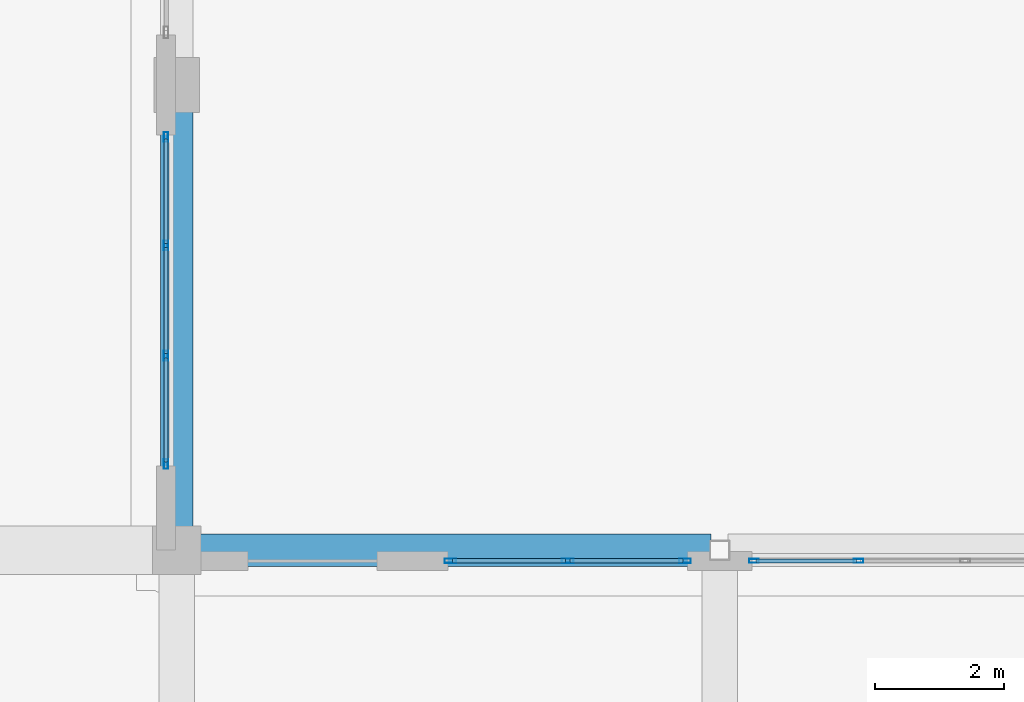
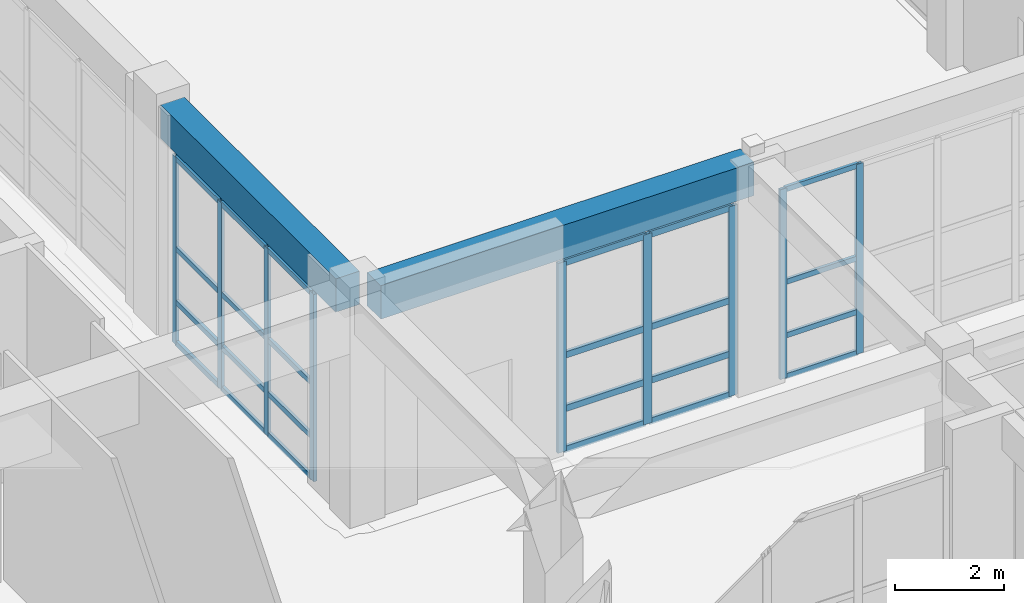
# One storey, part 42 of 148: 33 members, 2 beams, 3 elements without a shape of their own.
"""IFC4 building model written with IfcOpenShell, lengths in metres."""

from ifc_helpers import new_model, si_unit, direction, frame, origin, origin_2d, place, context, subcontext, project, spatial, rectangle, hollow_rectangle, extrude, material, layer, layer_set, material_profile, profile_set, type_object, element, aggregate, save


model = new_model("IFC4")

# Units and contexts
model_context = context("Model", 3, precision=1e-05, world=origin(), true_north=direction((0.0, 1.0)))
body_context = subcontext(model_context, "Body", "Model", "MODEL_VIEW")
ifc_project = project(units=[si_unit("LENGTHUNIT", "METRE"), si_unit("AREAUNIT", "SQUARE_METRE"), si_unit("VOLUMEUNIT", "CUBIC_METRE"), si_unit("PLANEANGLEUNIT", "RADIAN"), si_unit("MASSUNIT", "GRAM", prefix="KILO")], contexts=[model_context])

# Site, building, storey
site_placement = place(None, origin())
site = spatial("IfcSite", under=ifc_project, at=site_placement, CompositionType="ELEMENT")
building_placement = place(site_placement, origin())
building = spatial("IfcBuilding", under=site, at=building_placement, Name="Quendrovan Civic Courthouse", CompositionType="ELEMENT")
storey_placement = place(building_placement, origin())
storey = spatial("IfcBuildingStorey", under=building, at=storey_placement, Name="L01", CompositionType="ELEMENT", Elevation=0.0)

# Beams
ifc_material_1 = material(Name="Concrete C40/50", Category="concrete")
ifc_material_profile_1 = material_profile(ifc_material_1, rectangle(XDim=0.5, YDim=0.75, at=origin_2d()), Name="RC-BM-500x750")
ifc_profile_set_1 = profile_set([ifc_material_profile_1], Name="Concrete C40/50")
beam_type = type_object("IfcBeamType", Name="BM-RC750", PredefinedType="SPANDREL", material=ifc_profile_set_1)
beam_1_placement = place(storey_placement, frame((17.155029296875, 80.39990234375, 4.7451171875), z_axis=(1.0, 0.0, 0.0), x_axis=(0.0, 1.0, 0.0)))
element("IfcBeam", 1, at=beam_1_placement, inside=storey, type_object=beam_type, Name="L01 Girder X0309", PredefinedType="SPANDREL", context=body_context, shape_type="SweptSolid", body=[
    extrude(rectangle(XDim=0.5, YDim=0.75, at=origin_2d()), origin(), (0.0, 0.0, 1.0), 7.9150390625),
])
beam_2_placement = place(storey_placement, frame((16.800048828125, 80.7548828125, 4.7451171875), z_axis=(0.0, 1.0, 0.0), x_axis=(-1.0, 0.0, 0.0)))
element("IfcBeam", 2, at=beam_2_placement, inside=storey, type_object=beam_type, Name="L01 Girder Y0397", PredefinedType="SPANDREL", context=body_context, shape_type="SweptSolid", body=[
    extrude(rectangle(XDim=0.5, YDim=0.75, at=origin_2d()), origin(), (0.0, 0.0, 1.0), 6.440185546875),
])

# Curtain wall, members
ifc_material_2 = material(Name="Bronze anodised aluminium and low-E glass", Category="aluminium")
ifc_layer_1 = layer(ifc_material_2, 0.179931640625, Name="Bronze anodised aluminium and low-E glass")
ifc_layer_set_1 = layer_set([ifc_layer_1], Name="Bronze anodised aluminium and low-E glass")
curtain_wall_type_1 = type_object("IfcCurtainWallType", Name="CW-U37x43", PredefinedType="USERDEFINED", material=ifc_layer_set_1)
curtain_wall_1_placement = place(storey_placement, origin())
curtain_wall_1 = element("IfcCurtainWall", 3, at=curtain_wall_1_placement, inside=storey, type_object=curtain_wall_type_1, Name="L01 Unitised Hurricane Curtain Wall CW-020", ObjectType="UNITISED CURTAIN WALL", PredefinedType="USERDEFINED")
ifc_material_3 = material(Name="Bronze anodised aluminium", Category="aluminium")
ifc_material_profile_2 = material_profile(ifc_material_3, hollow_rectangle(XDim=0.070068359375, YDim=0.179931640625, WallThickness=0.00390625, at=origin_2d()), Name="CW-MULL-70x180")
ifc_profile_set_2 = profile_set([ifc_material_profile_2], Name="Bronze anodised aluminium")
member_type_1 = type_object("IfcMemberType", Name="CW-MULL-A", PredefinedType="MULLION", material=ifc_profile_set_2)
member_1_placement = place(storey_placement, frame((21.034912109375, 80.235107421875, 0.0), z_axis=(0.0, 0.0, 1.0), x_axis=(0.0, 1.0, 0.0)))
member_1 = element("IfcMember", 4, at=member_1_placement, type_object=member_type_1, Name="CW-020 mullion 1", PredefinedType="MULLION", context=body_context, shape_type="SweptSolid", body=[
    extrude(hollow_rectangle(XDim=0.070068359375, YDim=0.179931640625, WallThickness=0.00390625, at=origin_2d()), origin(), (0.0, 0.0, 1.0), 4.260009765625),
])
member_2_placement = place(storey_placement, frame((22.85009765625, 80.235107421875, 0.0), z_axis=(0.0, 0.0, 1.0), x_axis=(0.0, 1.0, 0.0)))
member_2 = element("IfcMember", 5, at=member_2_placement, type_object=member_type_1, Name="CW-020 mullion 2", PredefinedType="MULLION", context=body_context, shape_type="SweptSolid", body=[
    extrude(hollow_rectangle(XDim=0.070068359375, YDim=0.179931640625, WallThickness=0.00390625, at=origin_2d()), origin(), (0.0, 0.0, 1.0), 4.260009765625),
])
member_3_placement = place(storey_placement, frame((24.6650390625, 80.235107421875, 0.0), z_axis=(0.0, 0.0, 1.0), x_axis=(0.0, 1.0, 0.0)))
member_3 = element("IfcMember", 6, at=member_3_placement, type_object=member_type_1, Name="CW-020 mullion 3", PredefinedType="MULLION", context=body_context, shape_type="SweptSolid", body=[
    extrude(hollow_rectangle(XDim=0.070068359375, YDim=0.179931640625, WallThickness=0.00390625, at=origin_2d()), origin(), (0.0, 0.0, 1.0), 4.260009765625),
])

ifc_layer_2 = layer(ifc_material_2, 0.179931640625, Name="Bronze anodised aluminium and low-E glass")
ifc_layer_set_2 = layer_set([ifc_layer_2], Name="Bronze anodised aluminium and low-E glass")
curtain_wall_type_2 = type_object("IfcCurtainWallType", Name="CW-U51x42", PredefinedType="USERDEFINED", material=ifc_layer_set_2)
curtain_wall_2_placement = place(storey_placement, origin())
curtain_wall_2 = element("IfcCurtainWall", 7, at=curtain_wall_2_placement, inside=storey, type_object=curtain_wall_type_2, Name="L01 Unitised Hurricane Curtain Wall CW-019", ObjectType="UNITISED CURTAIN WALL", PredefinedType="USERDEFINED")
ifc_material_profile_3 = material_profile(ifc_material_3, hollow_rectangle(XDim=0.06494140625, YDim=0.14990234375, WallThickness=0.00390625, at=origin_2d()), Name="CW-MULL-65x150")
ifc_profile_set_3 = profile_set([ifc_material_profile_3], Name="Bronze anodised aluminium")
member_type_2 = type_object("IfcMemberType", Name="CW-MULL-B", PredefinedType="MULLION", material=ifc_profile_set_3)
member_4_placement = place(storey_placement, frame((16.635009765625, 86.79248046875, 0.0), z_axis=(0.0, 0.0, 1.0), x_axis=(1.0, 0.0, 0.0)))
member_4 = element("IfcMember", 8, at=member_4_placement, type_object=member_type_2, Name="CW-019 mullion 1", PredefinedType="MULLION", context=body_context, shape_type="SweptSolid", body=[
    extrude(hollow_rectangle(XDim=0.06494140625, YDim=0.14990234375, WallThickness=0.00390625, at=origin_2d()), origin(), (0.0, 0.0, 1.0), 4.199951171875),
])
member_5_placement = place(storey_placement, frame((16.635009765625, 85.11669921875, 0.0), z_axis=(0.0, 0.0, 1.0), x_axis=(1.0, 0.0, 0.0)))
member_5 = element("IfcMember", 9, at=member_5_placement, type_object=member_type_2, Name="CW-019 mullion 2", PredefinedType="MULLION", context=body_context, shape_type="SweptSolid", body=[
    extrude(hollow_rectangle(XDim=0.06494140625, YDim=0.14990234375, WallThickness=0.00390625, at=origin_2d()), origin(), (0.0, 0.0, 1.0), 4.199951171875),
])
member_6_placement = place(storey_placement, frame((16.635009765625, 83.408447265625, 0.0), z_axis=(0.0, 0.0, 1.0), x_axis=(1.0, 0.0, 0.0)))
member_6 = element("IfcMember", 10, at=member_6_placement, type_object=member_type_2, Name="CW-019 mullion 3", PredefinedType="MULLION", context=body_context, shape_type="SweptSolid", body=[
    extrude(hollow_rectangle(XDim=0.06494140625, YDim=0.14990234375, WallThickness=0.00390625, at=origin_2d()), origin(), (0.0, 0.0, 1.0), 4.199951171875),
])
member_7_placement = place(storey_placement, frame((16.635009765625, 81.732421875, 0.0), z_axis=(0.0, 0.0, 1.0), x_axis=(1.0, 0.0, 0.0)))
member_7 = element("IfcMember", 11, at=member_7_placement, type_object=member_type_2, Name="CW-019 mullion 4", PredefinedType="MULLION", context=body_context, shape_type="SweptSolid", body=[
    extrude(hollow_rectangle(XDim=0.06494140625, YDim=0.14990234375, WallThickness=0.00390625, at=origin_2d()), origin(), (0.0, 0.0, 1.0), 4.199951171875),
])

ifc_layer_3 = layer(ifc_material_2, 0.179931640625, Name="Bronze anodised aluminium and low-E glass")
ifc_layer_set_3 = layer_set([ifc_layer_3], Name="Bronze anodised aluminium and low-E glass")
curtain_wall_type_3 = type_object("IfcCurtainWallType", Name="CW-U66x43", PredefinedType="USERDEFINED", material=ifc_layer_set_3)
curtain_wall_3_placement = place(storey_placement, origin())
curtain_wall_3 = element("IfcCurtainWall", 12, at=curtain_wall_3_placement, inside=storey, type_object=curtain_wall_type_3, Name="L01 Unitised Hurricane Curtain Wall CW-021", ObjectType="UNITISED CURTAIN WALL", PredefinedType="USERDEFINED")
member_8_placement = place(storey_placement, frame((25.732421875, 80.235107421875, 0.0), z_axis=(0.0, 0.0, 1.0), x_axis=(0.0, 1.0, 0.0)))
member_8 = element("IfcMember", 13, at=member_8_placement, type_object=member_type_2, Name="CW-021 mullion 1", PredefinedType="MULLION", context=body_context, shape_type="SweptSolid", body=[
    extrude(hollow_rectangle(XDim=0.06494140625, YDim=0.14990234375, WallThickness=0.00390625, at=origin_2d()), origin(), (0.0, 0.0, 1.0), 4.260009765625),
])
member_9_placement = place(storey_placement, frame((27.35009765625, 80.235107421875, 0.0), z_axis=(0.0, 0.0, 1.0), x_axis=(0.0, 1.0, 0.0)))
member_9 = element("IfcMember", 14, at=member_9_placement, type_object=member_type_2, Name="CW-021 mullion 2", PredefinedType="MULLION", context=body_context, shape_type="SweptSolid", body=[
    extrude(hollow_rectangle(XDim=0.06494140625, YDim=0.14990234375, WallThickness=0.00390625, at=origin_2d()), origin(), (0.0, 0.0, 1.0), 4.260009765625),
])

# Member
ifc_material_profile_4 = material_profile(ifc_material_3, hollow_rectangle(XDim=0.070068359375, YDim=0.139892578125, WallThickness=0.00390625, at=origin_2d()), Name="CW-TRAN-70x140")
ifc_profile_set_4 = profile_set([ifc_material_profile_4], Name="Bronze anodised aluminium")
member_type_3 = type_object("IfcMemberType", Name="CW-TRAN-A", PredefinedType="USERDEFINED", material=ifc_profile_set_4)
member_10_placement = place(storey_placement, frame((21.070068359375, 80.235107421875, 0.034912109375), z_axis=(1.0, 0.0, 0.0), x_axis=(0.0, 1.0, 0.0)))
member_10 = element("IfcMember", 15, at=member_10_placement, type_object=member_type_3, Name="CW-020 transom 1.1", ObjectType="TRANSOM", PredefinedType="USERDEFINED", context=body_context, shape_type="SweptSolid", body=[
    extrude(hollow_rectangle(XDim=0.070068359375, YDim=0.139892578125, WallThickness=0.00390625, at=origin_2d()), origin(), (0.0, 0.0, 1.0), 1.744873046875),
])

member_11_placement = place(storey_placement, frame((21.070068359375, 80.235107421875, 0.949951171875), z_axis=(1.0, 0.0, 0.0), x_axis=(0.0, 1.0, 0.0)))
member_11 = element("IfcMember", 16, at=member_11_placement, type_object=member_type_3, Name="CW-020 transom 1.2", ObjectType="TRANSOM", PredefinedType="USERDEFINED", context=body_context, shape_type="SweptSolid", body=[
    extrude(hollow_rectangle(XDim=0.070068359375, YDim=0.139892578125, WallThickness=0.00390625, at=origin_2d()), origin(), (0.0, 0.0, 1.0), 1.744873046875),
])

member_12_placement = place(storey_placement, frame((21.070068359375, 80.235107421875, 2.14990234375), z_axis=(1.0, 0.0, 0.0), x_axis=(0.0, 1.0, 0.0)))
member_12 = element("IfcMember", 17, at=member_12_placement, type_object=member_type_3, Name="CW-020 transom 1.3", ObjectType="TRANSOM", PredefinedType="USERDEFINED", context=body_context, shape_type="SweptSolid", body=[
    extrude(hollow_rectangle(XDim=0.070068359375, YDim=0.139892578125, WallThickness=0.00390625, at=origin_2d()), origin(), (0.0, 0.0, 1.0), 1.744873046875),
])

member_13_placement = place(storey_placement, frame((21.070068359375, 80.235107421875, 4.22509765625), z_axis=(1.0, 0.0, 0.0), x_axis=(0.0, 1.0, 0.0)))
member_13 = element("IfcMember", 18, at=member_13_placement, type_object=member_type_3, Name="CW-020 transom 1.4", ObjectType="TRANSOM", PredefinedType="USERDEFINED", context=body_context, shape_type="SweptSolid", body=[
    extrude(hollow_rectangle(XDim=0.070068359375, YDim=0.139892578125, WallThickness=0.00390625, at=origin_2d()), origin(), (0.0, 0.0, 1.0), 1.744873046875),
])

member_14_placement = place(storey_placement, frame((22.885009765625, 80.235107421875, 0.034912109375), z_axis=(1.0, 0.0, 0.0), x_axis=(0.0, 1.0, 0.0)))
member_14 = element("IfcMember", 19, at=member_14_placement, type_object=member_type_3, Name="CW-020 transom 2.1", ObjectType="TRANSOM", PredefinedType="USERDEFINED", context=body_context, shape_type="SweptSolid", body=[
    extrude(hollow_rectangle(XDim=0.070068359375, YDim=0.139892578125, WallThickness=0.00390625, at=origin_2d()), origin(), (0.0, 0.0, 1.0), 1.744873046875),
])

member_15_placement = place(storey_placement, frame((22.885009765625, 80.235107421875, 0.949951171875), z_axis=(1.0, 0.0, 0.0), x_axis=(0.0, 1.0, 0.0)))
member_15 = element("IfcMember", 20, at=member_15_placement, type_object=member_type_3, Name="CW-020 transom 2.2", ObjectType="TRANSOM", PredefinedType="USERDEFINED", context=body_context, shape_type="SweptSolid", body=[
    extrude(hollow_rectangle(XDim=0.070068359375, YDim=0.139892578125, WallThickness=0.00390625, at=origin_2d()), origin(), (0.0, 0.0, 1.0), 1.744873046875),
])

member_16_placement = place(storey_placement, frame((22.885009765625, 80.235107421875, 2.14990234375), z_axis=(1.0, 0.0, 0.0), x_axis=(0.0, 1.0, 0.0)))
member_16 = element("IfcMember", 21, at=member_16_placement, type_object=member_type_3, Name="CW-020 transom 2.3", ObjectType="TRANSOM", PredefinedType="USERDEFINED", context=body_context, shape_type="SweptSolid", body=[
    extrude(hollow_rectangle(XDim=0.070068359375, YDim=0.139892578125, WallThickness=0.00390625, at=origin_2d()), origin(), (0.0, 0.0, 1.0), 1.744873046875),
])

member_17_placement = place(storey_placement, frame((22.885009765625, 80.235107421875, 4.22509765625), z_axis=(1.0, 0.0, 0.0), x_axis=(0.0, 1.0, 0.0)))
member_17 = element("IfcMember", 22, at=member_17_placement, type_object=member_type_3, Name="CW-020 transom 2.4", ObjectType="TRANSOM", PredefinedType="USERDEFINED", context=body_context, shape_type="SweptSolid", body=[
    extrude(hollow_rectangle(XDim=0.070068359375, YDim=0.139892578125, WallThickness=0.00390625, at=origin_2d()), origin(), (0.0, 0.0, 1.0), 1.744873046875),
])

aggregate(curtain_wall_1, [member_1, member_2, member_3, member_10, member_11, member_12, member_13, member_14, member_15, member_16, member_17])

ifc_material_profile_5 = material_profile(ifc_material_3, hollow_rectangle(XDim=0.06494140625, YDim=0.114990234375, WallThickness=0.00390625, at=origin_2d()), Name="CW-TRAN-65x115")
ifc_profile_set_5 = profile_set([ifc_material_profile_5], Name="Bronze anodised aluminium")
member_type_4 = type_object("IfcMemberType", Name="CW-TRAN-B", PredefinedType="USERDEFINED", material=ifc_profile_set_5)
member_18_placement = place(storey_placement, frame((16.635009765625, 86.760009765625, 0.032470703125), z_axis=(0.0, -1.0, 0.0), x_axis=(1.0, 0.0, 0.0)))
member_18 = element("IfcMember", 23, at=member_18_placement, type_object=member_type_4, Name="CW-019 transom 1.1", ObjectType="TRANSOM", PredefinedType="USERDEFINED", context=body_context, shape_type="SweptSolid", body=[
    extrude(hollow_rectangle(XDim=0.06494140625, YDim=0.114990234375, WallThickness=0.00390625, at=origin_2d()), origin(), (0.0, 0.0, 1.0), 1.61083984375),
])

member_19_placement = place(storey_placement, frame((16.635009765625, 86.760009765625, 0.949951171875), z_axis=(0.0, -1.0, 0.0), x_axis=(1.0, 0.0, 0.0)))
member_19 = element("IfcMember", 24, at=member_19_placement, type_object=member_type_4, Name="CW-019 transom 1.2", ObjectType="TRANSOM", PredefinedType="USERDEFINED", context=body_context, shape_type="SweptSolid", body=[
    extrude(hollow_rectangle(XDim=0.06494140625, YDim=0.114990234375, WallThickness=0.00390625, at=origin_2d()), origin(), (0.0, 0.0, 1.0), 1.61083984375),
])

member_20_placement = place(storey_placement, frame((16.635009765625, 86.760009765625, 2.14990234375), z_axis=(0.0, -1.0, 0.0), x_axis=(1.0, 0.0, 0.0)))
member_20 = element("IfcMember", 25, at=member_20_placement, type_object=member_type_4, Name="CW-019 transom 1.3", ObjectType="TRANSOM", PredefinedType="USERDEFINED", context=body_context, shape_type="SweptSolid", body=[
    extrude(hollow_rectangle(XDim=0.06494140625, YDim=0.114990234375, WallThickness=0.00390625, at=origin_2d()), origin(), (0.0, 0.0, 1.0), 1.61083984375),
])

member_21_placement = place(storey_placement, frame((16.635009765625, 86.760009765625, 4.16748046875), z_axis=(0.0, -1.0, 0.0), x_axis=(1.0, 0.0, 0.0)))
member_21 = element("IfcMember", 26, at=member_21_placement, type_object=member_type_4, Name="CW-019 transom 1.4", ObjectType="TRANSOM", PredefinedType="USERDEFINED", context=body_context, shape_type="SweptSolid", body=[
    extrude(hollow_rectangle(XDim=0.06494140625, YDim=0.114990234375, WallThickness=0.00390625, at=origin_2d()), origin(), (0.0, 0.0, 1.0), 1.61083984375),
])

member_22_placement = place(storey_placement, frame((16.635009765625, 85.084228515625, 0.032470703125), z_axis=(0.0, -1.0, 0.0), x_axis=(1.0, 0.0, 0.0)))
member_22 = element("IfcMember", 27, at=member_22_placement, type_object=member_type_4, Name="CW-019 transom 2.1", ObjectType="TRANSOM", PredefinedType="USERDEFINED", context=body_context, shape_type="SweptSolid", body=[
    extrude(hollow_rectangle(XDim=0.06494140625, YDim=0.114990234375, WallThickness=0.00390625, at=origin_2d()), origin(), (0.0, 0.0, 1.0), 1.643310546875),
])

member_23_placement = place(storey_placement, frame((16.635009765625, 85.084228515625, 0.949951171875), z_axis=(0.0, -1.0, 0.0), x_axis=(1.0, 0.0, 0.0)))
member_23 = element("IfcMember", 28, at=member_23_placement, type_object=member_type_4, Name="CW-019 transom 2.2", ObjectType="TRANSOM", PredefinedType="USERDEFINED", context=body_context, shape_type="SweptSolid", body=[
    extrude(hollow_rectangle(XDim=0.06494140625, YDim=0.114990234375, WallThickness=0.00390625, at=origin_2d()), origin(), (0.0, 0.0, 1.0), 1.643310546875),
])

member_24_placement = place(storey_placement, frame((16.635009765625, 85.084228515625, 2.14990234375), z_axis=(0.0, -1.0, 0.0), x_axis=(1.0, 0.0, 0.0)))
member_24 = element("IfcMember", 29, at=member_24_placement, type_object=member_type_4, Name="CW-019 transom 2.3", ObjectType="TRANSOM", PredefinedType="USERDEFINED", context=body_context, shape_type="SweptSolid", body=[
    extrude(hollow_rectangle(XDim=0.06494140625, YDim=0.114990234375, WallThickness=0.00390625, at=origin_2d()), origin(), (0.0, 0.0, 1.0), 1.643310546875),
])

member_25_placement = place(storey_placement, frame((16.635009765625, 85.084228515625, 4.16748046875), z_axis=(0.0, -1.0, 0.0), x_axis=(1.0, 0.0, 0.0)))
member_25 = element("IfcMember", 30, at=member_25_placement, type_object=member_type_4, Name="CW-019 transom 2.4", ObjectType="TRANSOM", PredefinedType="USERDEFINED", context=body_context, shape_type="SweptSolid", body=[
    extrude(hollow_rectangle(XDim=0.06494140625, YDim=0.114990234375, WallThickness=0.00390625, at=origin_2d()), origin(), (0.0, 0.0, 1.0), 1.643310546875),
])

member_26_placement = place(storey_placement, frame((16.635009765625, 83.375732421875, 0.032470703125), z_axis=(0.0, -1.0, 0.0), x_axis=(1.0, 0.0, 0.0)))
member_26 = element("IfcMember", 31, at=member_26_placement, type_object=member_type_4, Name="CW-019 transom 3.1", ObjectType="TRANSOM", PredefinedType="USERDEFINED", context=body_context, shape_type="SweptSolid", body=[
    extrude(hollow_rectangle(XDim=0.06494140625, YDim=0.114990234375, WallThickness=0.00390625, at=origin_2d()), origin(), (0.0, 0.0, 1.0), 1.61083984375),
])

member_27_placement = place(storey_placement, frame((16.635009765625, 83.375732421875, 0.949951171875), z_axis=(0.0, -1.0, 0.0), x_axis=(1.0, 0.0, 0.0)))
member_27 = element("IfcMember", 32, at=member_27_placement, type_object=member_type_4, Name="CW-019 transom 3.2", ObjectType="TRANSOM", PredefinedType="USERDEFINED", context=body_context, shape_type="SweptSolid", body=[
    extrude(hollow_rectangle(XDim=0.06494140625, YDim=0.114990234375, WallThickness=0.00390625, at=origin_2d()), origin(), (0.0, 0.0, 1.0), 1.61083984375),
])

member_28_placement = place(storey_placement, frame((16.635009765625, 83.375732421875, 2.14990234375), z_axis=(0.0, -1.0, 0.0), x_axis=(1.0, 0.0, 0.0)))
member_28 = element("IfcMember", 33, at=member_28_placement, type_object=member_type_4, Name="CW-019 transom 3.3", ObjectType="TRANSOM", PredefinedType="USERDEFINED", context=body_context, shape_type="SweptSolid", body=[
    extrude(hollow_rectangle(XDim=0.06494140625, YDim=0.114990234375, WallThickness=0.00390625, at=origin_2d()), origin(), (0.0, 0.0, 1.0), 1.61083984375),
])

member_29_placement = place(storey_placement, frame((16.635009765625, 83.375732421875, 4.16748046875), z_axis=(0.0, -1.0, 0.0), x_axis=(1.0, 0.0, 0.0)))
member_29 = element("IfcMember", 34, at=member_29_placement, type_object=member_type_4, Name="CW-019 transom 3.4", ObjectType="TRANSOM", PredefinedType="USERDEFINED", context=body_context, shape_type="SweptSolid", body=[
    extrude(hollow_rectangle(XDim=0.06494140625, YDim=0.114990234375, WallThickness=0.00390625, at=origin_2d()), origin(), (0.0, 0.0, 1.0), 1.61083984375),
])

aggregate(curtain_wall_2, [member_4, member_5, member_6, member_7, member_18, member_19, member_20, member_21, member_22, member_23, member_24, member_25, member_26, member_27, member_28, member_29])

member_30_placement = place(storey_placement, frame((25.764892578125, 80.235107421875, 0.032470703125), z_axis=(1.0, 0.0, 0.0), x_axis=(0.0, 1.0, 0.0)))
member_30 = element("IfcMember", 35, at=member_30_placement, type_object=member_type_4, Name="CW-021 transom 1.1", ObjectType="TRANSOM", PredefinedType="USERDEFINED", context=body_context, shape_type="SweptSolid", body=[
    extrude(hollow_rectangle(XDim=0.06494140625, YDim=0.114990234375, WallThickness=0.00390625, at=origin_2d()), origin(), (0.0, 0.0, 1.0), 1.552490234375),
])

member_31_placement = place(storey_placement, frame((25.764892578125, 80.235107421875, 0.949951171875), z_axis=(1.0, 0.0, 0.0), x_axis=(0.0, 1.0, 0.0)))
member_31 = element("IfcMember", 36, at=member_31_placement, type_object=member_type_4, Name="CW-021 transom 1.2", ObjectType="TRANSOM", PredefinedType="USERDEFINED", context=body_context, shape_type="SweptSolid", body=[
    extrude(hollow_rectangle(XDim=0.06494140625, YDim=0.114990234375, WallThickness=0.00390625, at=origin_2d()), origin(), (0.0, 0.0, 1.0), 1.552490234375),
])

member_32_placement = place(storey_placement, frame((25.764892578125, 80.235107421875, 2.14990234375), z_axis=(1.0, 0.0, 0.0), x_axis=(0.0, 1.0, 0.0)))
member_32 = element("IfcMember", 37, at=member_32_placement, type_object=member_type_4, Name="CW-021 transom 1.3", ObjectType="TRANSOM", PredefinedType="USERDEFINED", context=body_context, shape_type="SweptSolid", body=[
    extrude(hollow_rectangle(XDim=0.06494140625, YDim=0.114990234375, WallThickness=0.00390625, at=origin_2d()), origin(), (0.0, 0.0, 1.0), 1.552490234375),
])

member_33_placement = place(storey_placement, frame((25.764892578125, 80.235107421875, 4.2275390625), z_axis=(1.0, 0.0, 0.0), x_axis=(0.0, 1.0, 0.0)))
member_33 = element("IfcMember", 38, at=member_33_placement, type_object=member_type_4, Name="CW-021 transom 1.4", ObjectType="TRANSOM", PredefinedType="USERDEFINED", context=body_context, shape_type="SweptSolid", body=[
    extrude(hollow_rectangle(XDim=0.06494140625, YDim=0.114990234375, WallThickness=0.00390625, at=origin_2d()), origin(), (0.0, 0.0, 1.0), 1.552490234375),
])

aggregate(curtain_wall_3, [member_8, member_9, member_30, member_31, member_32, member_33])

save(model, "model.ifc")
